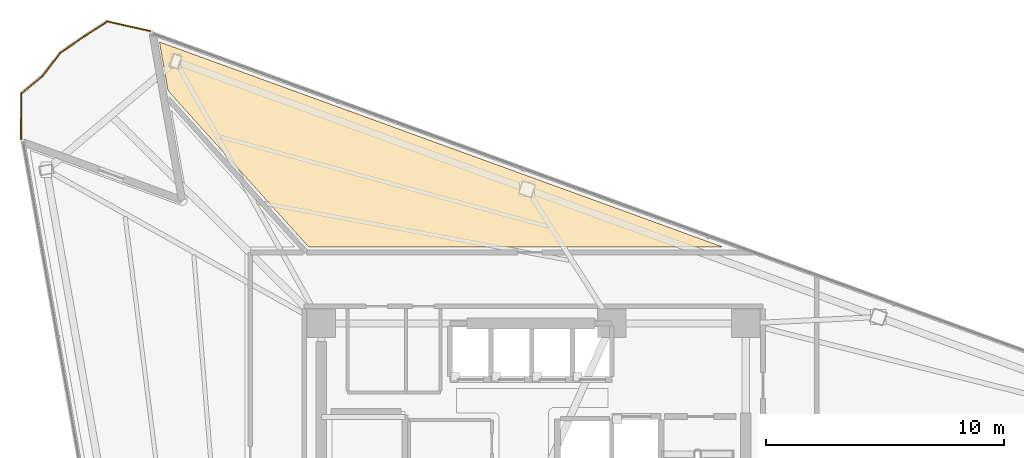
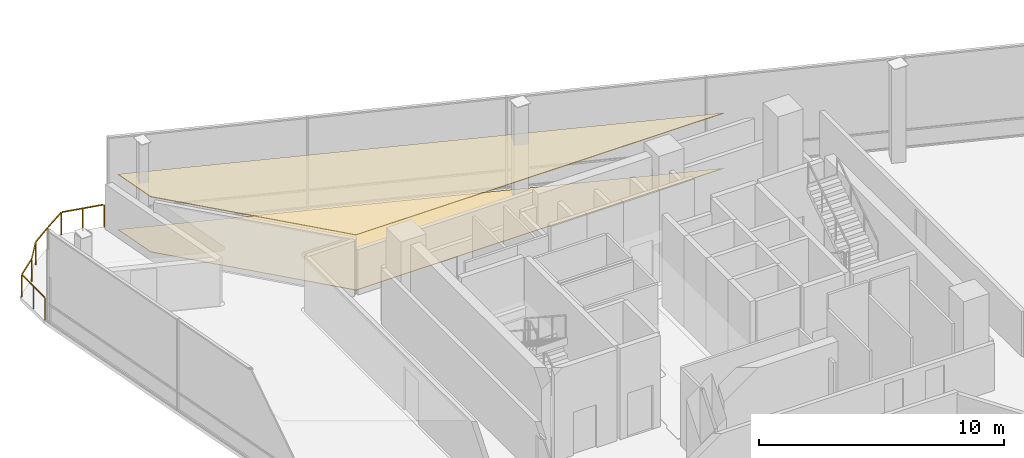
# One storey, part 15 of 15: 2 coverings, 1 railing.
"""IFC4 building model written with IfcOpenShell, lengths in metres."""

from ifc_helpers import new_model, si_unit, direction, frame, origin, origin_2d, place, context, subcontext, project, spatial, polyline, rectangle, outline, extrude, material, layer, layer_set, type_object, element, save


model = new_model("IFC4")

# Units and contexts
model_context = context("Model", 3, precision=1e-05, world=origin(), true_north=direction((0.0, 1.0)))
body_context = subcontext(model_context, "Body", "Model", "MODEL_VIEW")
ifc_project = project(units=[si_unit("LENGTHUNIT", "METRE"), si_unit("AREAUNIT", "SQUARE_METRE"), si_unit("VOLUMEUNIT", "CUBIC_METRE"), si_unit("PLANEANGLEUNIT", "RADIAN"), si_unit("MASSUNIT", "GRAM", prefix="KILO")], contexts=[model_context])

# Site, building, storey
site_placement = place(None, origin())
site = spatial("IfcSite", under=ifc_project, at=site_placement, CompositionType="ELEMENT")
building_placement = place(site_placement, origin())
building = spatial("IfcBuilding", under=site, at=building_placement, Name="Tharavind Bronze Gate", CompositionType="ELEMENT")
storey_placement = place(building_placement, frame((0.0, 0.0, 192.10009765625)))
storey = spatial("IfcBuildingStorey", under=building, at=storey_placement, Name="L49", CompositionType="ELEMENT", Elevation=192.10009765625)

# Coverings
ifc_material_1 = material(Name="Engineered Oak & Carpet Tile", Category="wood")
ifc_layer_1 = layer(ifc_material_1, 0.02490234375)
ifc_layer_set_1 = layer_set([ifc_layer_1], Name="Engineered Oak & Carpet Tile")
covering_type_1 = type_object("IfcCoveringType", Name="ENGINEERED TIMBER FLOORING", PredefinedType="FLOORING", material=ifc_layer_set_1)
covering_1_placement = place(storey_placement, origin())
element("IfcCovering", 1, at=covering_1_placement, inside=storey, type_object=covering_type_1, Name="L49-RM-01 floor finish", PredefinedType="FLOORING", context=body_context, shape_type="SweptSolid", body=[
    extrude(outline(polyline([(-15.328125, 17.352294921875), (-9.42822265625, 10.800048828125), (7.955078125, 10.800048828125), (-15.690185546875, 19.40625), (-15.328125, 17.352294921875)])), origin(), (0.0, 0.0, 1.0), 0.02490234375),
])
ifc_material_2 = material(Name="Acoustic Gypsum Board", Category="gypsum")
ifc_layer_2 = layer(ifc_material_2, 0.030029296875)
ifc_layer_set_2 = layer_set([ifc_layer_2], Name="Acoustic Gypsum Board")
covering_type_2 = type_object("IfcCoveringType", Name="GYPSUM SUSPENDED CEILING", PredefinedType="CEILING", material=ifc_layer_set_2)
covering_2_placement = place(storey_placement, frame((0.0, 0.0, 2.75)))
element("IfcCovering", 2, at=covering_2_placement, inside=storey, type_object=covering_type_2, Name="L49-RM-01 suspended ceiling", PredefinedType="CEILING", context=body_context, shape_type="SweptSolid", body=[
    extrude(outline(polyline([(-15.328125, 17.352294921875), (-9.42822265625, 10.800048828125), (7.955078125, 10.800048828125), (-15.690185546875, 19.40625), (-15.328125, 17.352294921875)])), origin(), (0.0, 0.0, 1.0), 0.034912109375),
])

# Railing
ifc_material_3 = material(Name="Bronze Cap & Laminated Glass", Category="glass")
railing_type = type_object("IfcRailingType", Name="TERRACE GLASS GUARD RAILING 1150", PredefinedType="GUARDRAIL", material=ifc_material_3)
railing_placement = place(storey_placement, frame((-21.49951171875, 15.31494140625, 0.0)))
element("IfcRailing", 3, at=railing_placement, inside=storey, type_object=railing_type, Name="L49 tree balcony guard railing", PredefinedType="GUARDRAIL", context=body_context, shape_type="SweptSolid", body=[
    extrude(rectangle(XDim=0.048095703125, YDim=0.048095703125, at=origin_2d()), frame((0.000244140625, 0.031982421875, 1.1259765625), z_axis=(0.006244302881, 0.999980504151, 0.0), x_axis=(-0.999980504151, 0.006244302881, 0.0)), (0.0, 0.0, 1.0), 1.851806640625),
    extrude(rectangle(XDim=0.048095703125, YDim=0.048095703125, at=origin_2d()), frame((0.036376953125, 1.936279296875, 1.1259765625), z_axis=(0.765977892633, 0.642866913131, 0.0), x_axis=(-0.642866913131, 0.765977892633, 0.0)), (0.0, 0.0, 1.0), 1.115966796875),
    extrude(rectangle(XDim=0.048095703125, YDim=0.048095703125, at=origin_2d()), frame((0.935302734375, 2.69970703125, 1.1259765625), z_axis=(0.609749815727, 0.79259394536, 0.0), x_axis=(-0.79259394536, 0.609749815727, 0.0)), (0.0, 0.0, 1.0), 1.144287109375),
    extrude(rectangle(XDim=0.048095703125, YDim=0.048095703125, at=origin_2d()), frame((1.678955078125, 3.650146484375, 1.1259765625), z_axis=(0.823524708497, 0.567280402001, 0.0), x_axis=(-0.567280402001, 0.823524708497, 0.0)), (0.0, 0.0, 1.0), 1.121337890625),
    extrude(rectangle(XDim=0.048095703125, YDim=0.048095703125, at=origin_2d()), frame((2.655517578125, 4.32177734375, 1.1259765625), z_axis=(0.840015987987, 0.5425616462, 0.0), x_axis=(-0.5425616462, 0.840015987987, 0.0)), (0.0, 0.0, 1.0), 1.125244140625),
    extrude(rectangle(XDim=0.048095703125, YDim=0.048095703125, at=origin_2d()), frame((3.658935546875, 4.94287109375, 1.1259765625), z_axis=(0.976205791901, -0.216846147902, 0.0), x_axis=(0.216846147902, 0.976205791901, 0.0)), (0.0, 0.0, 1.0), 1.775634765625),
    extrude(rectangle(XDim=0.0400390625, YDim=0.0400390625, at=origin_2d()), origin(), (0.0, 0.0, 1.0), 1.097900390625),
    extrude(rectangle(XDim=0.0400390625, YDim=0.0400390625, at=origin_2d()), frame((0.005859375, 0.9580078125, 0.0)), (0.0, 0.0, 1.0), 1.097900390625),
    extrude(rectangle(XDim=0.0400390625, YDim=0.0400390625, at=origin_2d()), frame((0.011962890625, 1.915771484375, 0.0)), (0.0, 0.0, 1.0), 1.097900390625),
    extrude(rectangle(XDim=0.0400390625, YDim=0.0400390625, at=origin_2d()), frame((0.915771484375, 2.67431640625, 0.0)), (0.0, 0.0, 1.0), 1.097900390625),
    extrude(rectangle(XDim=0.0400390625, YDim=0.0400390625, at=origin_2d()), frame((1.652587890625, 3.632080078125, 0.0)), (0.0, 0.0, 1.0), 1.097900390625),
    extrude(rectangle(XDim=0.0400390625, YDim=0.0400390625, at=origin_2d()), frame((2.628662109375, 4.304443359375, 0.0)), (0.0, 0.0, 1.0), 1.097900390625),
    extrude(rectangle(XDim=0.0400390625, YDim=0.0400390625, at=origin_2d()), frame((3.627685546875, 4.94970703125, 0.0)), (0.0, 0.0, 1.0), 1.097900390625),
    extrude(rectangle(XDim=0.0400390625, YDim=0.0400390625, at=origin_2d()), frame((4.525634765625, 4.750244140625, 0.0)), (0.0, 0.0, 1.0), 1.097900390625),
    extrude(rectangle(XDim=0.0400390625, YDim=0.0400390625, at=origin_2d()), frame((5.423583984375, 4.55078125, 0.0)), (0.0, 0.0, 1.0), 1.097900390625),
])

save(model, "model.ifc")
